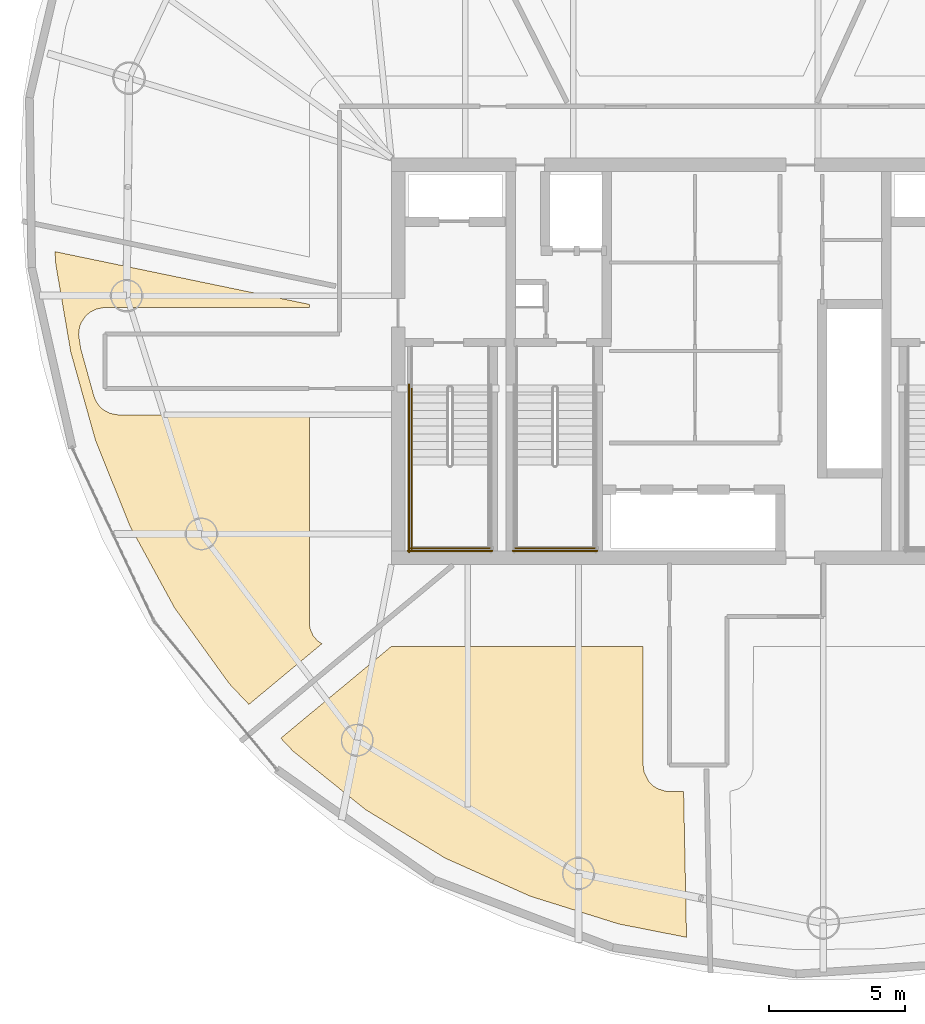
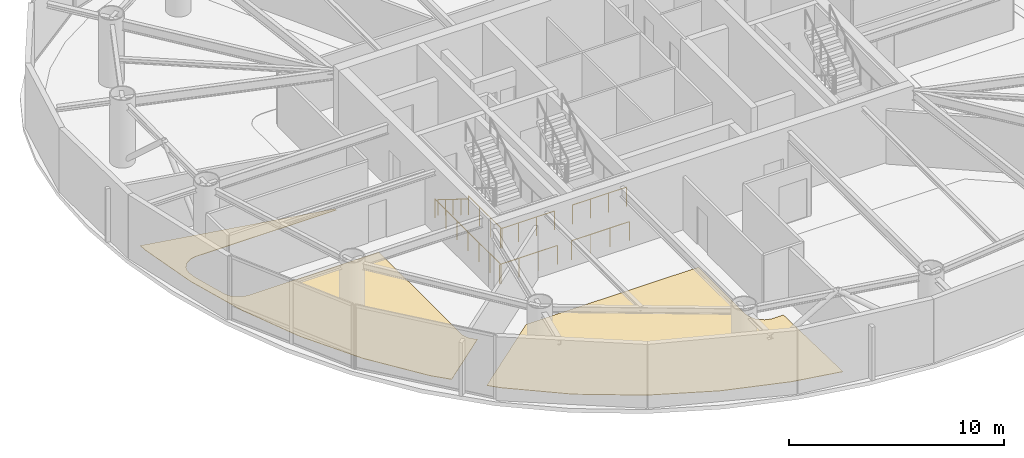
# One storey, part 17 of 20: 7 railings, 2 coverings.
"""IFC4 building model written with IfcOpenShell, lengths in metres."""

from ifc_helpers import new_model, si_unit, direction, frame, origin, origin_2d, place, context, subcontext, project, spatial, polyline, circle, outline, extrude, material, layer, layer_set, type_object, element, save


model = new_model("IFC4")

# Units and contexts
model_context = context("Model", 3, precision=1e-05, world=origin(), true_north=direction((0.0, 1.0)))
body_context = subcontext(model_context, "Body", "Model", "MODEL_VIEW")
ifc_project = project(units=[si_unit("LENGTHUNIT", "METRE"), si_unit("AREAUNIT", "SQUARE_METRE"), si_unit("VOLUMEUNIT", "CUBIC_METRE"), si_unit("PLANEANGLEUNIT", "RADIAN"), si_unit("MASSUNIT", "GRAM", prefix="KILO")], contexts=[model_context])

# Site, building, storey
site_placement = place(None, origin())
site = spatial("IfcSite", under=ifc_project, at=site_placement, CompositionType="ELEMENT")
building_placement = place(site_placement, origin())
building = spatial("IfcBuilding", under=site, at=building_placement, Name="Bramvorn Convention Spire", CompositionType="ELEMENT")
storey_placement = place(building_placement, frame((0.0, 0.0, 202.0)))
storey = spatial("IfcBuildingStorey", under=building, at=storey_placement, Name="L51", CompositionType="ELEMENT", Elevation=202.0)

# Coverings
ifc_material_1 = material(Name="Honed Dolomitic Limestone Terrazzo Flooring", Category="masonry")
ifc_layer = layer(ifc_material_1, 0.02490234375)
ifc_layer_set = layer_set([ifc_layer], Name="Honed Dolomitic Limestone Terrazzo Flooring - FLR-TERRAZZO-25")
covering_type = type_object("IfcCoveringType", Name="FLR-TERRAZZO-25", PredefinedType="FLOORING", material=ifc_layer_set)
covering_1_placement = place(storey_placement, origin())
element("IfcCovering", 1, at=covering_1_placement, inside=storey, type_object=covering_type, Name="L51 C-Suite Meeting Boardroom 4 raised floor finish", PredefinedType="FLOORING", context=body_context, shape_type="SweptSolid", body=[
    extrude(outline(polyline([(20.80908203125, 14.18408203125), (21.528564453125, 13.423095703125), (24.2060546875, 15.647216796875), (24.060791015625, 15.742919921875), (23.893310546875, 15.927734375), (23.78662109375, 16.1533203125), (23.754150390625, 16.316650390625), (23.75, 24.030029296875), (16.776611328125, 24.030029296875), (16.43896484375, 24.0908203125), (16.1953125, 24.2236328125), (16.052978515625, 24.3544921875), (15.939208984375, 24.5107421875), (15.85498046875, 24.697998046875), (15.363525390625, 26.468994140625), (15.287109375, 26.982421875), (15.319580078125, 27.249267578125), (15.384765625, 27.424560546875), (15.542724609375, 27.65625), (15.69140625, 27.7880859375), (15.9404296875, 27.916748046875), (16.2041015625, 27.968505859375), (23.75, 27.969970703125), (23.75, 28.086669921875), (14.4208984375, 30.02099609375), (14.45263671875, 29.54345703125), (15.000732421875, 26.3359375), (15.90380859375, 23.110107421875), (17.17236328125, 19.95458984375), (18.809326171875, 16.9541015625), (20.80908203125, 14.18408203125)])), origin(), (0.0, 0.0, 1.0), 0.02490234375),
])
covering_2_placement = place(storey_placement, origin())
element("IfcCovering", 2, at=covering_2_placement, inside=storey, type_object=covering_type, Name="L51 Managing Director Office 5 raised floor finish", PredefinedType="FLOORING", context=body_context, shape_type="SweptSolid", body=[
    extrude(outline(polyline([(37.571044921875, 4.8857421875), (37.46435546875, 10.22998046875), (36.8134765625, 10.23974609375), (36.530029296875, 10.32568359375), (36.367431640625, 10.424560546875), (36.174560546875, 10.617431640625), (36.010498046875, 10.95849609375), (35.97998046875, 11.199951171875), (35.97998046875, 15.550048828125), (26.74951171875, 15.550048828125), (22.69873046875, 12.185302734375), (23.15234375, 11.705810546875), (25.806884765625, 9.564208984375), (28.725341796875, 7.7880859375), (31.844970703125, 6.391357421875), (35.09033203125, 5.374267578125), (37.571044921875, 4.8857421875)])), origin(), (0.0, 0.0, 1.0), 0.02490234375),
])

# Railings
ifc_material_2 = material(Name="Painted Steel Balustrade & Guardrail", Category="steel")
railing_type_1 = type_object("IfcRailingType", Name="RL-STAIR-GUARD-1100", PredefinedType="GUARDRAIL", material=ifc_material_2)
railing_1_placement = place(storey_placement, frame((27.5, 22.199951171875, 1.925048828125)))
element("IfcRailing", 3, at=railing_1_placement, inside=storey, type_object=railing_type_1, Name="L51 ST1 stair guard 3", PredefinedType="GUARDRAIL", context=body_context, shape_type="SweptSolid", body=[
    extrude(circle(Radius=0.02392578125, at=origin_2d()), frame((0.0, 0.0, 1.076171875), z_axis=(0.0, -1.0, 0.0), x_axis=(1.0, 0.0, 0.0)), (0.0, 0.0, 1.0), 3.099853515625),
    extrude(circle(Radius=0.02099609375, at=origin_2d()), origin(), (0.0, 0.0, 1.0), 1.052001953125),
    extrude(circle(Radius=0.02099609375, at=origin_2d()), frame((0.0, -1.033203125, 0.0)), (0.0, 0.0, 1.0), 1.052001953125),
    extrude(circle(Radius=0.02099609375, at=origin_2d()), frame((0.0, -2.066650390625, 0.0)), (0.0, 0.0, 1.0), 1.052001953125),
    extrude(circle(Radius=0.02099609375, at=origin_2d()), frame((0.0, -3.099853515625, 0.0)), (0.0, 0.0, 1.0), 1.052001953125),
])
railing_2_placement = place(storey_placement, frame((27.449951171875, 19.14990234375, 1.925048828125)))
element("IfcRailing", 4, at=railing_2_placement, inside=storey, type_object=railing_type_1, Name="L51 ST1 stair guard 5", PredefinedType="GUARDRAIL", context=body_context, shape_type="SweptSolid", body=[
    extrude(circle(Radius=0.02392578125, at=origin_2d()), frame((0.0, 0.0, 1.076171875), z_axis=(1.0, 0.0, 0.0), x_axis=(0.0, 1.0, 0.0)), (0.0, 0.0, 1.0), 2.900146484375),
    extrude(circle(Radius=0.02099609375, at=origin_2d()), origin(), (0.0, 0.0, 1.0), 1.052001953125),
    extrude(circle(Radius=0.02099609375, at=origin_2d()), frame((0.966796875, 0.0, 0.0)), (0.0, 0.0, 1.0), 1.052001953125),
    extrude(circle(Radius=0.02099609375, at=origin_2d()), frame((1.933349609375, 0.0, 0.0)), (0.0, 0.0, 1.0), 1.052001953125),
    extrude(circle(Radius=0.02099609375, at=origin_2d()), frame((2.900146484375, 0.0, 0.0)), (0.0, 0.0, 1.0), 1.052001953125),
])
railing_3_placement = place(storey_placement, frame((27.39990234375, 25.14990234375, 0.0)))
element("IfcRailing", 5, at=railing_3_placement, inside=storey, type_object=railing_type_1, Name="L51 ST1 stair guard 10", PredefinedType="GUARDRAIL", context=body_context, shape_type="SweptSolid", body=[
    extrude(circle(Radius=0.02392578125, at=origin_2d()), frame((0.0, 0.0, 1.076171875), z_axis=(0.0, -1.0, 0.0), x_axis=(1.0, 0.0, 0.0)), (0.0, 0.0, 1.0), 6.14990234375),
    extrude(circle(Radius=0.02099609375, at=origin_2d()), origin(), (0.0, 0.0, 1.0), 1.052001953125),
    extrude(circle(Radius=0.02099609375, at=origin_2d()), frame((0.0, -1.02490234375, 0.0)), (0.0, 0.0, 1.0), 1.052001953125),
    extrude(circle(Radius=0.02099609375, at=origin_2d()), frame((0.0, -2.050048828125, 0.0)), (0.0, 0.0, 1.0), 1.052001953125),
    extrude(circle(Radius=0.02099609375, at=origin_2d()), frame((0.0, -3.074951171875, 0.0)), (0.0, 0.0, 1.0), 1.052001953125),
    extrude(circle(Radius=0.02099609375, at=origin_2d()), frame((0.0, -4.099853515625, 0.0)), (0.0, 0.0, 1.0), 1.052001953125),
    extrude(circle(Radius=0.02099609375, at=origin_2d()), frame((0.0, -5.125, 0.0)), (0.0, 0.0, 1.0), 1.052001953125),
    extrude(circle(Radius=0.02099609375, at=origin_2d()), frame((0.0, -6.14990234375, 0.0)), (0.0, 0.0, 1.0), 1.052001953125),
])
railing_4_placement = place(storey_placement, frame((27.35009765625, 19.050048828125, 0.0)))
element("IfcRailing", 6, at=railing_4_placement, inside=storey, type_object=railing_type_1, Name="L51 ST1 stair guard 12", PredefinedType="GUARDRAIL", context=body_context, shape_type="SweptSolid", body=[
    extrude(circle(Radius=0.02392578125, at=origin_2d()), frame((0.0, 0.0, 1.076171875), z_axis=(1.0, 0.0, 0.0), x_axis=(0.0, 1.0, 0.0)), (0.0, 0.0, 1.0), 3.099853515625),
    extrude(circle(Radius=0.02099609375, at=origin_2d()), origin(), (0.0, 0.0, 1.0), 1.052001953125),
    extrude(circle(Radius=0.02099609375, at=origin_2d()), frame((1.033203125, 0.0, 0.0)), (0.0, 0.0, 1.0), 1.052001953125),
    extrude(circle(Radius=0.02099609375, at=origin_2d()), frame((2.066650390625, 0.0, 0.0)), (0.0, 0.0, 1.0), 1.052001953125),
    extrude(circle(Radius=0.02099609375, at=origin_2d()), frame((3.099853515625, 0.0, 0.0)), (0.0, 0.0, 1.0), 1.052001953125),
])
railing_5_placement = place(storey_placement, frame((31.300048828125, 19.14990234375, 1.925048828125)))
element("IfcRailing", 7, at=railing_5_placement, inside=storey, type_object=railing_type_1, Name="L51 ST3 stair guard 5", PredefinedType="GUARDRAIL", context=body_context, shape_type="SweptSolid", body=[
    extrude(circle(Radius=0.02392578125, at=origin_2d()), frame((0.0, 0.0, 1.076171875), z_axis=(1.0, 0.0, 0.0), x_axis=(0.0, 1.0, 0.0)), (0.0, 0.0, 1.0), 2.89990234375),
    extrude(circle(Radius=0.02099609375, at=origin_2d()), origin(), (0.0, 0.0, 1.0), 1.052001953125),
    extrude(circle(Radius=0.02099609375, at=origin_2d()), frame((0.966552734375, 0.0, 0.0)), (0.0, 0.0, 1.0), 1.052001953125),
    extrude(circle(Radius=0.02099609375, at=origin_2d()), frame((1.933349609375, 0.0, 0.0)), (0.0, 0.0, 1.0), 1.052001953125),
    extrude(circle(Radius=0.02099609375, at=origin_2d()), frame((2.89990234375, 0.0, 0.0)), (0.0, 0.0, 1.0), 1.052001953125),
])
railing_6_placement = place(storey_placement, frame((31.199951171875, 19.050048828125, 0.0)))
element("IfcRailing", 8, at=railing_6_placement, inside=storey, type_object=railing_type_1, Name="L51 ST3 stair guard 12", PredefinedType="GUARDRAIL", context=body_context, shape_type="SweptSolid", body=[
    extrude(circle(Radius=0.02392578125, at=origin_2d()), frame((0.0, 0.0, 1.076171875), z_axis=(1.0, 0.0, 0.0), x_axis=(0.0, 1.0, 0.0)), (0.0, 0.0, 1.0), 3.10009765625),
    extrude(circle(Radius=0.02099609375, at=origin_2d()), origin(), (0.0, 0.0, 1.0), 1.052001953125),
    extrude(circle(Radius=0.02099609375, at=origin_2d()), frame((1.033447265625, 0.0, 0.0)), (0.0, 0.0, 1.0), 1.052001953125),
    extrude(circle(Radius=0.02099609375, at=origin_2d()), frame((2.066650390625, 0.0, 0.0)), (0.0, 0.0, 1.0), 1.052001953125),
    extrude(circle(Radius=0.02099609375, at=origin_2d()), frame((3.10009765625, 0.0, 0.0)), (0.0, 0.0, 1.0), 1.052001953125),
])
ifc_material_3 = material(Name="Brushed Bronze Tubular Handrail", Category="aluminium")
railing_type_2 = type_object("IfcRailingType", Name="RL-STAIR-HR-920", PredefinedType="HANDRAIL", material=ifc_material_3)
railing_7_placement = place(storey_placement, frame((27.5, 25.050048828125, 0.175048828125)))
element("IfcRailing", 9, at=railing_7_placement, inside=storey, type_object=railing_type_2, Name="L51 ST1 stair handrail 1", PredefinedType="HANDRAIL", context=body_context, shape_type="SweptSolid", body=[
    extrude(circle(Radius=0.02392578125, at=origin_2d()), frame((0.0, 0.0, 0.89599609375), z_axis=(0.0, -0.852179220489, 0.52325001306), x_axis=(1.0, 0.0, 0.0)), (0.0, 0.0, 1.0), 3.344482421875),
    extrude(circle(Radius=0.02099609375, at=origin_2d()), origin(), (0.0, 0.0, 1.0), 0.871826171875),
    extrude(circle(Radius=0.02099609375, at=origin_2d()), frame((0.0, -0.71240234375, 0.4375)), (0.0, 0.0, 1.0), 0.871826171875),
    extrude(circle(Radius=0.02099609375, at=origin_2d()), frame((0.0, -1.425048828125, 0.875)), (0.0, 0.0, 1.0), 0.871826171875),
    extrude(circle(Radius=0.02099609375, at=origin_2d()), frame((0.0, -2.1376953125, 1.3125)), (0.0, 0.0, 1.0), 0.871826171875),
    extrude(circle(Radius=0.02099609375, at=origin_2d()), frame((0.0, -2.85009765625, 1.75)), (0.0, 0.0, 1.0), 0.871826171875),
])

save(model, "model.ifc")
